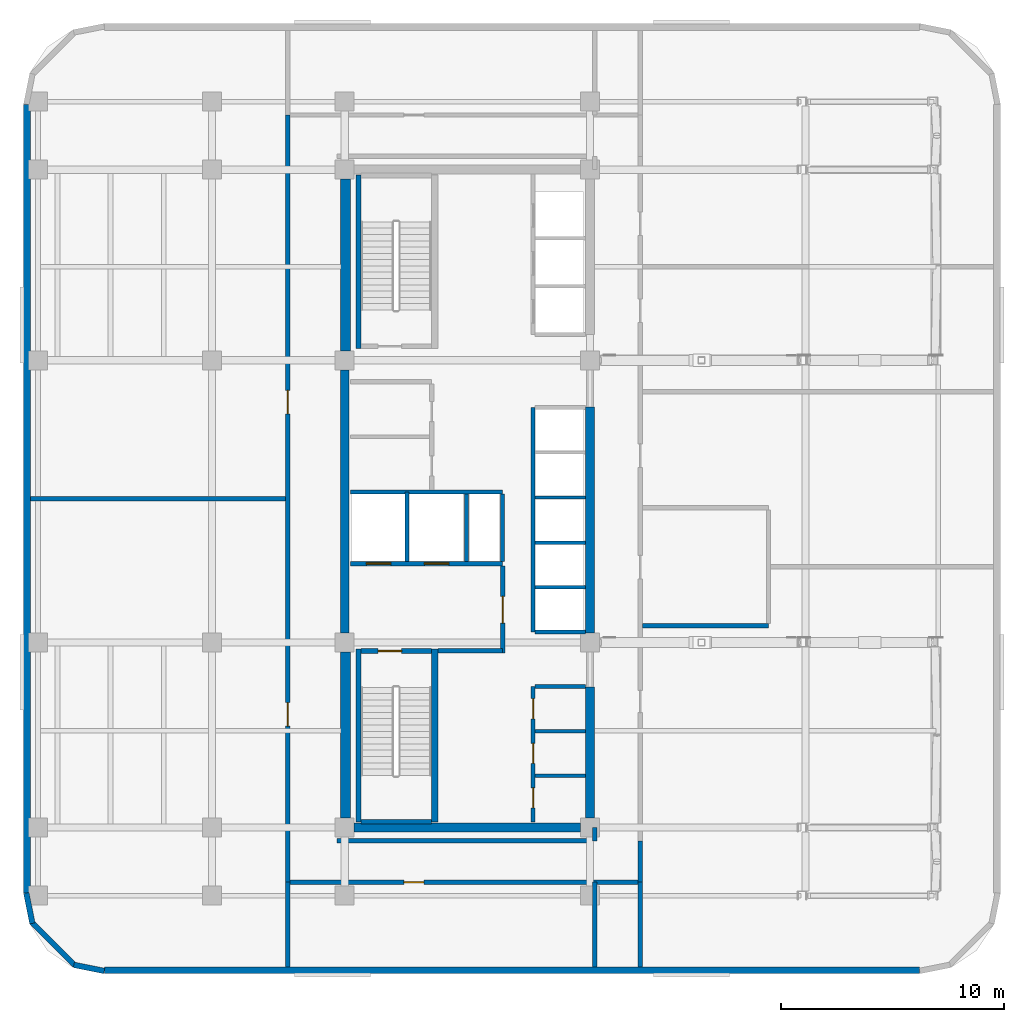
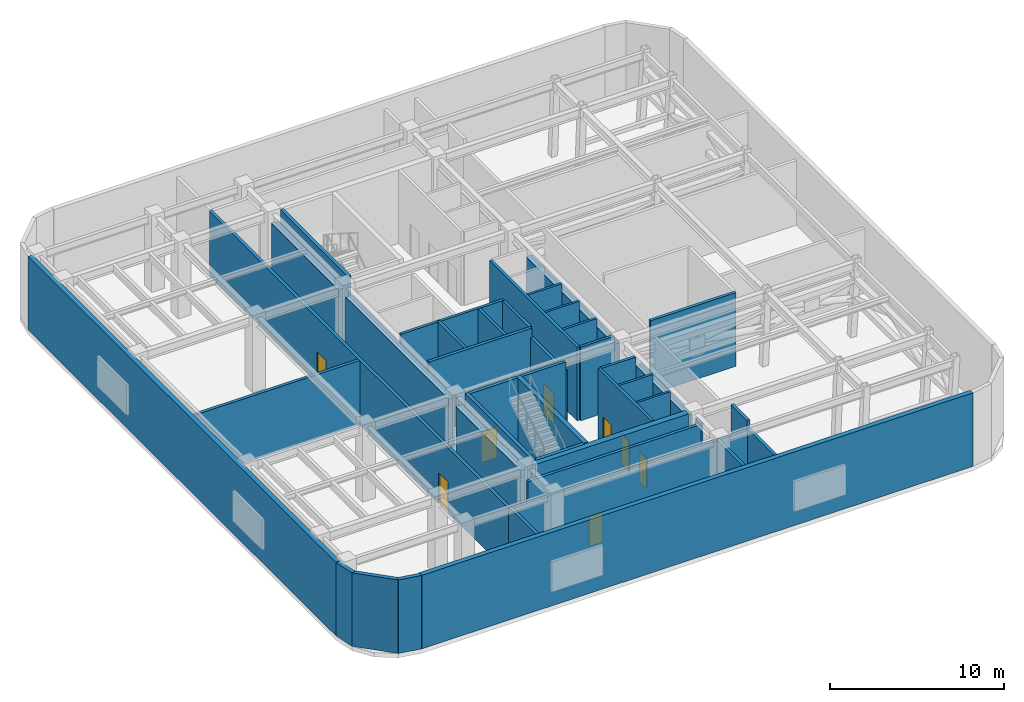
# One storey, part 6 of 12: 42 walls, 10 doors, 10 openings.
"""IFC4 building model written with IfcOpenShell, lengths in metres."""

from ifc_helpers import new_model, si_unit, direction, frame, frame_2d, origin, place, context, subcontext, project, spatial, rectangle, extrude, material, layer, layer_set, type_object, element, fill, save


model = new_model("IFC4")

# Units and contexts
model_context = context("Model", 3, precision=1e-05, world=origin(), true_north=direction((0.0, 1.0)))
body_context = subcontext(model_context, "Body", "Model", "MODEL_VIEW")
ifc_project = project(units=[si_unit("LENGTHUNIT", "METRE"), si_unit("AREAUNIT", "SQUARE_METRE"), si_unit("VOLUMEUNIT", "CUBIC_METRE"), si_unit("PLANEANGLEUNIT", "RADIAN"), si_unit("MASSUNIT", "GRAM", prefix="KILO")], contexts=[model_context])

# Site, building, storey
site_placement = place(None, origin())
site = spatial("IfcSite", under=ifc_project, at=site_placement, CompositionType="ELEMENT")
building_placement = place(site_placement, origin())
building = spatial("IfcBuilding", under=site, at=building_placement, Name="Ochreholt Gables", CompositionType="ELEMENT")
storey_placement = place(building_placement, frame((0.0, 0.0, 135.60009765625)))
storey = spatial("IfcBuildingStorey", under=building, at=storey_placement, Name="L35", CompositionType="ELEMENT", Elevation=135.60009765625)

# Walls
ifc_material_1 = material(Name="Concrete 60 MPa", Category="concrete")
ifc_layer_1 = layer(ifc_material_1, 0.39990234375, Name="Concrete 60 MPa")
ifc_layer_set_1 = layer_set([ifc_layer_1], Name="Concrete 60 MPa")
wall_type_1 = type_object("IfcWallType", Name="WALL-CSW-400", PredefinedType="SHEAR", material=ifc_layer_set_1)
wall_1_placement = place(storey_placement, frame((24.199951171875, 17.97509765625, 0.0), z_axis=(0.0, 0.0, 1.0), x_axis=(0.0, 1.0, 0.0)))
element("IfcWall", 1, at=wall_1_placement, inside=storey, type_object=wall_type_1, Name="L35 Core West Shear Wall WM", PredefinedType="SHEAR", context=body_context, shape_type="SweptSolid", body=[
    extrude(rectangle(XDim=11.7998046875, YDim=0.39990234375, at=frame_2d((5.89990234375, 0.0))), origin(), (0.0, 0.0, 1.0), 4.548828125),
])
wall_2_placement = place(storey_placement, frame((35.199951171875, 9.675048828125, 0.0), z_axis=(0.0, 0.0, 1.0), x_axis=(0.0, 1.0, 0.0)))
element("IfcWall", 2, at=wall_2_placement, inside=storey, type_object=wall_type_1, Name="L35 Core South-East Shear Wall", PredefinedType="SHEAR", context=body_context, shape_type="SweptSolid", body=[
    extrude(rectangle(XDim=5.875, YDim=0.39990234375, at=frame_2d((2.9375, 0.0))), origin(), (0.0, 0.0, 1.0), 4.548828125),
])
wall_3_placement = place(storey_placement, frame((35.199951171875, 17.97509765625, 0.0), z_axis=(0.0, 0.0, 1.0), x_axis=(0.0, 1.0, 0.0)))
element("IfcWall", 3, at=wall_3_placement, inside=storey, type_object=wall_type_1, Name="L35 Core Central-East Shear Wall", PredefinedType="SHEAR", context=body_context, shape_type="SweptSolid", body=[
    extrude(rectangle(XDim=10.125, YDim=0.39990234375, at=frame_2d((5.0625, 0.0))), origin(), (0.0, 0.0, 1.0), 4.548828125),
])
wall_4_placement = place(storey_placement, frame((24.625, 9.25, 0.0), z_axis=(0.0, 0.0, 1.0), x_axis=(1.0, 0.0, 0.0)))
element("IfcWall", 4, at=wall_4_placement, inside=storey, type_object=wall_type_1, Name="L35 Core South Shear Wall", PredefinedType="SHEAR", context=body_context, shape_type="SweptSolid", body=[
    extrude(rectangle(XDim=10.14990234375, YDim=0.39990234375, at=frame_2d((5.074951171875, 0.0))), origin(), (0.0, 0.0, 1.0), 5.159912109375),
])
ifc_layer_2 = layer(ifc_material_1, 0.449951171875, Name="Concrete 60 MPa")
ifc_layer_set_2 = layer_set([ifc_layer_2], Name="Concrete 60 MPa")
wall_type_2 = type_object("IfcWallType", Name="WALL-CSW-450", PredefinedType="SHEAR", material=ifc_layer_set_2)
wall_5_placement = place(storey_placement, frame((24.22509765625, 9.675048828125, 0.0), z_axis=(0.0, 0.0, 1.0), x_axis=(0.0, 1.0, 0.0)))
element("IfcWall", 5, at=wall_5_placement, inside=storey, type_object=wall_type_2, Name="L35 Core West Shear Wall WS", PredefinedType="SHEAR", context=body_context, shape_type="SweptSolid", body=[
    extrude(rectangle(XDim=7.449951171875, YDim=0.449951171875, at=frame_2d((3.72509765625, 0.0))), origin(), (0.0, 0.0, 1.0), 4.548828125),
])
wall_6_placement = place(storey_placement, frame((24.22509765625, 30.625, 0.0), z_axis=(0.0, 0.0, 1.0), x_axis=(0.0, 1.0, 0.0)))
element("IfcWall", 6, at=wall_6_placement, inside=storey, type_object=wall_type_2, Name="L35 Core West Shear Wall WN", PredefinedType="SHEAR", context=body_context, shape_type="SweptSolid", body=[
    extrude(rectangle(XDim=7.699951171875, YDim=0.449951171875, at=frame_2d((3.85009765625, 0.0))), origin(), (0.0, 0.0, 1.0), 4.548828125),
])
ifc_material_2 = material(Name="Precast concrete 40 MPa", Category="concrete")
ifc_layer_3 = layer(ifc_material_2, 0.25, Name="Precast concrete 40 MPa")
ifc_layer_set_3 = layer_set([ifc_layer_3], Name="Precast concrete 40 MPa")
wall_type_3 = type_object("IfcWallType", Name="WALL-EXT-CNR", PredefinedType="SOLIDWALL", material=ifc_layer_set_3)
wall_7_placement = place(storey_placement, frame((9.92431640625, 6.31640625, 0.0), z_axis=(0.0, 0.0, 1.0), x_axis=(0.195000137217, -0.980803214965, 0.0)))
element("IfcWall", 7, at=wall_7_placement, inside=storey, type_object=wall_type_3, Name="L35 Rounded Corner Wall SW-1", PredefinedType="SOLIDWALL", context=body_context, shape_type="SweptSolid", body=[
    extrude(rectangle(XDim=1.388427734375, YDim=0.25, at=frame_2d((0.6943359375, 0.0))), origin(), (0.0, 0.0, 1.0), 5.159912109375),
])
wall_8_placement = place(storey_placement, frame((10.16796875, 5.0048828125, 0.0), z_axis=(0.0, 0.0, 1.0), x_axis=(0.707151344399, -0.707062215165, 0.0)))
element("IfcWall", 8, at=wall_8_placement, inside=storey, type_object=wall_type_3, Name="L35 Rounded Corner Wall SW-2", PredefinedType="SOLIDWALL", context=body_context, shape_type="SweptSolid", body=[
    extrude(rectangle(XDim=2.7392578125, YDim=0.25, at=frame_2d((1.36962890625, 0.0))), origin(), (0.0, 0.0, 1.0), 5.159912109375),
])
wall_9_placement = place(storey_placement, frame((12.054443359375, 3.094970703125, 0.0), z_axis=(0.0, 0.0, 1.0), x_axis=(0.980809899341, -0.19496651342, 0.0)))
element("IfcWall", 9, at=wall_9_placement, inside=storey, type_object=wall_type_3, Name="L35 Rounded Corner Wall SW-3", PredefinedType="SOLIDWALL", context=body_context, shape_type="SweptSolid", body=[
    extrude(rectangle(XDim=1.388671875, YDim=0.25, at=frame_2d((0.6943359375, 0.0))), origin(), (0.0, 0.0, 1.0), 5.159912109375),
])
ifc_material_3 = material(Name="Precast concrete 50 MPa", Category="concrete")
ifc_layer_4 = layer(ifc_material_3, 0.31005859375, Name="Precast concrete 50 MPa")
ifc_layer_set_4 = layer_set([ifc_layer_4], Name="Precast concrete 50 MPa")
wall_type_4 = type_object("IfcWallType", Name="WALL-EXT-PLT", PredefinedType="SOLIDWALL", material=ifc_layer_set_4)
wall_10_placement = place(storey_placement, frame((13.419921875, 2.85498046875, 0.0), z_axis=(0.0, 0.0, 1.0), x_axis=(1.0, 0.0, 0.0)))
element("IfcWall", 10, at=wall_10_placement, inside=storey, type_object=wall_type_4, Name="L35 South Plant Facade Wall", PredefinedType="SOLIDWALL", context=body_context, shape_type="SweptSolid", body=[
    extrude(rectangle(XDim=36.56005859375, YDim=0.31005859375, at=frame_2d((18.280029296875, 0.0))), origin(), (0.0, 0.0, 1.0), 5.159912109375),
])
wall_11_placement = place(storey_placement, frame((9.955078125, 41.679931640625, 0.0), z_axis=(0.0, 0.0, 1.0), x_axis=(0.0, -1.0, 0.0)))
element("IfcWall", 11, at=wall_11_placement, inside=storey, type_object=wall_type_4, Name="L35 West Plant Facade Wall", PredefinedType="SOLIDWALL", context=body_context, shape_type="SweptSolid", body=[
    extrude(rectangle(XDim=35.35986328125, YDim=0.31005859375, at=frame_2d((17.679931640625, 0.0))), origin(), (0.0, 0.0, 1.0), 5.159912109375),
])

# Wall, openings, doors
ifc_material_4 = material(Name="Concrete 40 MPa", Category="concrete")
ifc_layer_5 = layer(ifc_material_4, 0.199951171875, Name="Concrete 40 MPa")
ifc_layer_set_5 = layer_set([ifc_layer_5], Name="Concrete 40 MPa")
wall_type_5 = type_object("IfcWallType", Name="WALL-INT-CF200", PredefinedType="STANDARD", material=ifc_layer_set_5)
wall_12_placement = place(storey_placement, frame((24.449951171875, 21.090087890625, 0.0), z_axis=(0.0, 0.0, 1.0), x_axis=(1.0, 0.0, 0.0)))
wall_12 = element("IfcWall", 12, at=wall_12_placement, inside=storey, type_object=wall_type_5, Name="L35 Interior Wall WI-FFN-L35", PredefinedType="STANDARD", context=body_context, shape_type="SweptSolid", body=[
    extrude(rectangle(XDim=6.830078125, YDim=0.199951171875, at=frame_2d((3.4150390625, 0.0))), origin(), (0.0, 0.0, 1.0), 5.159912109375),
])
opening_1_placement = place(wall_12_placement, frame((0.719970703125, 0.0, 0.0)))
opening_1 = element("IfcOpeningElement", 13, at=opening_1_placement, cuts=wall_12, Name="Opening LD-FF", PredefinedType="OPENING", context=body_context, shape_type="SweptSolid", body=[
    extrude(rectangle(XDim=1.10009765625, YDim=2.199951171875, at=frame_2d((0.550048828125, 1.10009765625))), frame((0.0, 0.10986328125, 0.0), z_axis=(0.0, -1.0, 0.0), x_axis=(1.0, 0.0, 0.0)), (0.0, 0.0, 1.0), 0.219970703125),
])
opening_2_placement = place(wall_12_placement, frame((3.320068359375, 0.0, 0.0)))
opening_2 = element("IfcOpeningElement", 14, at=opening_2_placement, cuts=wall_12, Name="Opening LD-FF", PredefinedType="OPENING", context=body_context, shape_type="SweptSolid", body=[
    extrude(rectangle(XDim=1.10009765625, YDim=2.199951171875, at=frame_2d((0.550048828125, 1.10009765625))), frame((0.0, 0.10986328125, 0.0), z_axis=(0.0, -1.0, 0.0), x_axis=(1.0, 0.0, 0.0)), (0.0, 0.0, 1.0), 0.219970703125),
])
ifc_material_5 = material(Name="Stainless Steel", Category="steel")
door_type_1 = type_object("IfcDoorType", Name="DR-LFT-FF1100", OperationType="NOTDEFINED", PredefinedType="DOOR", material=ifc_material_5)
door_1_placement = place(opening_1_placement, origin())
door_1 = element("IfcDoor", 15, at=door_1_placement, inside=storey, type_object=door_type_1, Name="L35 Door LD-FF1-L35", OperationType="SLIDING_TO_LEFT", OverallHeight=2.199951171875, OverallWidth=1.10009765625, PredefinedType="DOOR", context=body_context, shape_type="SweptSolid", body=[
    extrude(rectangle(XDim=1.10009765625, YDim=2.199951171875, at=frame_2d((0.550048828125, 1.10009765625))), frame((0.0, 0.02490234375, 0.0), z_axis=(0.0, -1.0, 0.0), x_axis=(1.0, 0.0, 0.0)), (0.0, 0.0, 1.0), 0.050048828125),
])
fill(opening_1, door_1)
door_2_placement = place(opening_2_placement, origin())
door_2 = element("IfcDoor", 16, at=door_2_placement, inside=storey, type_object=door_type_1, Name="L35 Door LD-FF2-L35", OperationType="SLIDING_TO_LEFT", OverallHeight=2.199951171875, OverallWidth=1.10009765625, PredefinedType="DOOR", context=body_context, shape_type="SweptSolid", body=[
    extrude(rectangle(XDim=1.10009765625, YDim=2.199951171875, at=frame_2d((0.550048828125, 1.10009765625))), frame((0.0, 0.02490234375, 0.0), z_axis=(0.0, -1.0, 0.0), x_axis=(1.0, 0.0, 0.0)), (0.0, 0.0, 1.0), 0.050048828125),
])
fill(opening_2, door_2)

# Wall
wall_13_placement = place(storey_placement, frame((28.3798828125, 17.169921875, 0.0), z_axis=(0.0, 0.0, 1.0), x_axis=(1.0, 0.0, 0.0)))
element("IfcWall", 17, at=wall_13_placement, inside=storey, type_object=wall_type_5, Name="L35 Interior Wall WI-FFS-L35", PredefinedType="STANDARD", context=body_context, shape_type="SweptSolid", body=[
    extrude(rectangle(XDim=2.900146484375, YDim=0.199951171875, at=frame_2d((1.4501953125, 0.0))), origin(), (0.0, 0.0, 1.0), 5.159912109375),
])

# Wall, opening, door
wall_14_placement = place(storey_placement, frame((31.280029296875, 17.070068359375, 0.0), z_axis=(0.0, 0.0, 1.0), x_axis=(0.0, 1.0, 0.0)))
wall_14 = element("IfcWall", 18, at=wall_14_placement, inside=storey, type_object=wall_type_5, Name="L35 Interior Wall WI-FFE-L35", PredefinedType="STANDARD", context=body_context, shape_type="SweptSolid", body=[
    extrude(rectangle(XDim=3.919921875, YDim=0.199951171875, at=frame_2d((1.9599609375, 0.0))), origin(), (0.0, 0.0, 1.0), 4.531005859375),
])
opening_3_placement = place(wall_14_placement, frame((1.35009765625, 0.0, 0.0)))
opening_3 = element("IfcOpeningElement", 19, at=opening_3_placement, cuts=wall_14, Name="Opening D-FFL", PredefinedType="OPENING", context=body_context, shape_type="SweptSolid", body=[
    extrude(rectangle(XDim=1.199951171875, YDim=2.14990234375, at=frame_2d((0.60009765625, 1.074951171875))), frame((0.0, 0.10986328125, 0.0), z_axis=(0.0, -1.0, 0.0), x_axis=(1.0, 0.0, 0.0)), (0.0, 0.0, 1.0), 0.219970703125),
])
ifc_material_6 = material(Name="Hollow Metal Steel", Category="steel")
door_type_2 = type_object("IfcDoorType", Name="DR-INT-FFL1200", OperationType="NOTDEFINED", PredefinedType="DOOR", material=ifc_material_6)
door_3_placement = place(opening_3_placement, origin())
door_3 = element("IfcDoor", 20, at=door_3_placement, inside=storey, type_object=door_type_2, Name="L35 Door D-FFL-L35", OperationType="SINGLE_SWING_LEFT", OverallHeight=2.14990234375, OverallWidth=1.199951171875, PredefinedType="DOOR", context=body_context, shape_type="SweptSolid", body=[
    extrude(rectangle(XDim=1.199951171875, YDim=2.14990234375, at=frame_2d((0.60009765625, 1.074951171875))), frame((0.0, 0.02490234375, 0.0), z_axis=(0.0, -1.0, 0.0), x_axis=(1.0, 0.0, 0.0)), (0.0, 0.0, 1.0), 0.050048828125),
])
fill(opening_3, door_3)

# Walls
wall_15_placement = place(storey_placement, frame((37.449951171875, 6.800048828125, 0.0), z_axis=(0.0, 0.0, 1.0), x_axis=(0.0, 1.0, 0.0)))
element("IfcWall", 21, at=wall_15_placement, inside=storey, type_object=wall_type_5, Name="L35 Interior Wall WI-PLCES0-L35", PredefinedType="STANDARD", context=body_context, shape_type="SweptSolid", body=[
    extrude(rectangle(XDim=1.849853515625, YDim=0.199951171875, at=frame_2d((0.9248046875, 0.0))), origin(), (0.0, 0.0, 1.0), 5.159912109375),
])
wall_16_placement = place(storey_placement, frame((37.449951171875, 3.010009765625, 0.0), z_axis=(0.0, 0.0, 1.0), x_axis=(0.0, 1.0, 0.0)))
element("IfcWall", 22, at=wall_16_placement, inside=storey, type_object=wall_type_5, Name="L35 Interior Wall WI-PLCES1-L35", PredefinedType="STANDARD", context=body_context, shape_type="SweptSolid", body=[
    extrude(rectangle(XDim=3.7900390625, YDim=0.199951171875, at=frame_2d((1.89501953125, 0.0))), origin(), (0.0, 0.0, 1.0), 4.60888671875),
])
wall_17_placement = place(storey_placement, frame((35.419921875, 3.010009765625, 0.0), z_axis=(0.0, 0.0, 1.0), x_axis=(0.0, 1.0, 0.0)))
element("IfcWall", 23, at=wall_17_placement, inside=storey, type_object=wall_type_5, Name="L35 Interior Wall WI-PLCSW0-L35", PredefinedType="STANDARD", context=body_context, shape_type="SweptSolid", body=[
    extrude(rectangle(XDim=3.7900390625, YDim=0.199951171875, at=frame_2d((1.89501953125, 0.0))), origin(), (0.0, 0.0, 1.0), 4.531005859375),
])
wall_18_placement = place(storey_placement, frame((35.419921875, 8.64990234375, 0.0), z_axis=(0.0, 0.0, 1.0), x_axis=(0.0, 1.0, 0.0)))
element("IfcWall", 24, at=wall_18_placement, inside=storey, type_object=wall_type_5, Name="L35 Interior Wall WI-PLCSW1-L35", PredefinedType="STANDARD", context=body_context, shape_type="SweptSolid", body=[
    extrude(rectangle(XDim=0.60009765625, YDim=0.199951171875, at=frame_2d((0.300048828125, 0.0))), origin(), (0.0, 0.0, 1.0), 4.531005859375),
])
wall_19_placement = place(storey_placement, frame((37.550048828125, 18.300048828125, 0.0), z_axis=(0.0, 0.0, 1.0), x_axis=(1.0, 0.0, 0.0)))
element("IfcWall", 25, at=wall_19_placement, inside=storey, type_object=wall_type_5, Name="L35 Interior Wall WI-PLRFS-L35", PredefinedType="STANDARD", context=body_context, shape_type="SweptSolid", body=[
    extrude(rectangle(XDim=5.64990234375, YDim=0.199951171875, at=frame_2d((2.824951171875, 0.0))), origin(), (0.0, 0.0, 1.0), 5.159912109375),
])

# Wall, openings, doors
wall_20_placement = place(storey_placement, frame((21.64990234375, 6.800048828125, 0.0), z_axis=(0.0, 0.0, 1.0), x_axis=(0.0, 1.0, 0.0)))
wall_20 = element("IfcWall", 26, at=wall_20_placement, inside=storey, type_object=wall_type_5, Name="L35 Interior Wall WI-PLCW-L35", PredefinedType="STANDARD", context=body_context, shape_type="SweptSolid", body=[
    extrude(rectangle(XDim=34.39990234375, YDim=0.199951171875, at=frame_2d((17.199951171875, 0.0))), origin(), (0.0, 0.0, 1.0), 4.531005859375),
])
opening_4_placement = place(wall_20_placement, frame((7.0, 0.0, 0.0)))
opening_4 = element("IfcOpeningElement", 27, at=opening_4_placement, cuts=wall_20, Name="Opening D-SV4", PredefinedType="OPENING", context=body_context, shape_type="SweptSolid", body=[
    extrude(rectangle(XDim=1.050048828125, YDim=2.14990234375, at=frame_2d((0.52490234375, 1.074951171875))), frame((0.0, 0.10986328125, 0.0), z_axis=(0.0, -1.0, 0.0), x_axis=(1.0, 0.0, 0.0)), (0.0, 0.0, 1.0), 0.219970703125),
])
opening_5_placement = place(wall_20_placement, frame((21.0, 0.0, 0.0)))
opening_5 = element("IfcOpeningElement", 28, at=opening_5_placement, cuts=wall_20, Name="Opening D-SV4", PredefinedType="OPENING", context=body_context, shape_type="SweptSolid", body=[
    extrude(rectangle(XDim=1.050048828125, YDim=2.14990234375, at=frame_2d((0.52490234375, 1.074951171875))), frame((0.0, 0.10986328125, 0.0), z_axis=(0.0, -1.0, 0.0), x_axis=(1.0, 0.0, 0.0)), (0.0, 0.0, 1.0), 0.219970703125),
])
door_type_3 = type_object("IfcDoorType", Name="DR-INT-SRV1050", OperationType="NOTDEFINED", PredefinedType="DOOR", material=ifc_material_6)
door_4_placement = place(opening_4_placement, origin())
door_4 = element("IfcDoor", 29, at=door_4_placement, inside=storey, type_object=door_type_3, Name="L35 Door D-PLW1-L35", OperationType="SINGLE_SWING_LEFT", OverallHeight=2.14990234375, OverallWidth=1.050048828125, PredefinedType="DOOR", context=body_context, shape_type="SweptSolid", body=[
    extrude(rectangle(XDim=1.050048828125, YDim=2.14990234375, at=frame_2d((0.52490234375, 1.074951171875))), frame((0.0, 0.02490234375, 0.0), z_axis=(0.0, -1.0, 0.0), x_axis=(1.0, 0.0, 0.0)), (0.0, 0.0, 1.0), 0.050048828125),
])
fill(opening_4, door_4)
door_5_placement = place(opening_5_placement, origin())
door_5 = element("IfcDoor", 30, at=door_5_placement, inside=storey, type_object=door_type_3, Name="L35 Door D-PLW2-L35", OperationType="SINGLE_SWING_RIGHT", OverallHeight=2.14990234375, OverallWidth=1.050048828125, PredefinedType="DOOR", context=body_context, shape_type="SweptSolid", body=[
    extrude(rectangle(XDim=1.050048828125, YDim=2.14990234375, at=frame_2d((0.52490234375, 1.074951171875))), frame((0.0, 0.02490234375, 0.0), z_axis=(0.0, -1.0, 0.0), x_axis=(1.0, 0.0, 0.0)), (0.0, 0.0, 1.0), 0.050048828125),
])
fill(opening_5, door_5)

# Wall, opening, door
wall_21_placement = place(storey_placement, frame((21.75, 6.800048828125, 0.0), z_axis=(0.0, 0.0, 1.0), x_axis=(1.0, 0.0, 0.0)))
wall_21 = element("IfcWall", 31, at=wall_21_placement, inside=storey, type_object=wall_type_5, Name="L35 Interior Wall WI-PLCS-L35", PredefinedType="STANDARD", context=body_context, shape_type="SweptSolid", body=[
    extrude(rectangle(XDim=15.60009765625, YDim=0.199951171875, at=frame_2d((7.800048828125, 0.0))), origin(), (0.0, 0.0, 1.0), 4.531005859375),
])
opening_6_placement = place(wall_21_placement, frame((5.10009765625, 0.0, 0.0)))
opening_6 = element("IfcOpeningElement", 32, at=opening_6_placement, cuts=wall_21, Name="Opening D-SV1", PredefinedType="OPENING", context=body_context, shape_type="SweptSolid", body=[
    extrude(rectangle(XDim=0.89990234375, YDim=2.10009765625, at=frame_2d((0.449951171875, 1.050048828125))), frame((0.0, 0.10986328125, 0.0), z_axis=(0.0, -1.0, 0.0), x_axis=(1.0, 0.0, 0.0)), (0.0, 0.0, 1.0), 0.219970703125),
])
door_type_4 = type_object("IfcDoorType", Name="DR-INT-SRV900", OperationType="NOTDEFINED", PredefinedType="DOOR", material=ifc_material_6)
door_6_placement = place(opening_6_placement, origin())
door_6 = element("IfcDoor", 33, at=door_6_placement, inside=storey, type_object=door_type_4, Name="L35 Door D-PLS0-L35", OperationType="SINGLE_SWING_LEFT", OverallHeight=2.10009765625, OverallWidth=0.89990234375, PredefinedType="DOOR", context=body_context, shape_type="SweptSolid", body=[
    extrude(rectangle(XDim=0.89990234375, YDim=2.10009765625, at=frame_2d((0.449951171875, 1.050048828125))), frame((0.0, 0.02490234375, 0.0), z_axis=(0.0, -1.0, 0.0), x_axis=(1.0, 0.0, 0.0)), (0.0, 0.0, 1.0), 0.050048828125),
])
fill(opening_6, door_6)

# Walls
wall_22_placement = place(storey_placement, frame((23.85009765625, 8.64990234375, 0.0), z_axis=(0.0, 0.0, 1.0), x_axis=(1.0, 0.0, 0.0)))
element("IfcWall", 34, at=wall_22_placement, inside=storey, type_object=wall_type_5, Name="L35 Interior Wall WI-PLCS2-L35", PredefinedType="STANDARD", context=body_context, shape_type="SweptSolid", body=[
    extrude(rectangle(XDim=11.469970703125, YDim=0.199951171875, at=frame_2d((5.73486328125, 0.0))), origin(), (0.0, 0.0, 1.0), 4.531005859375),
])
wall_23_placement = place(storey_placement, frame((21.64990234375, 3.010009765625, 0.0), z_axis=(0.0, 0.0, 1.0), x_axis=(0.0, 1.0, 0.0)))
element("IfcWall", 35, at=wall_23_placement, inside=storey, type_object=wall_type_5, Name="L35 Interior Wall WI-PLCWS-L35", PredefinedType="STANDARD", context=body_context, shape_type="SweptSolid", body=[
    extrude(rectangle(XDim=3.7900390625, YDim=0.199951171875, at=frame_2d((1.89501953125, 0.0))), origin(), (0.0, 0.0, 1.0), 4.60888671875),
])
wall_24_placement = place(storey_placement, frame((10.110107421875, 24.0, 0.0), z_axis=(0.0, 0.0, 1.0), x_axis=(1.0, 0.0, 0.0)))
element("IfcWall", 36, at=wall_24_placement, inside=storey, type_object=wall_type_5, Name="L35 Interior Wall WI-PLWM-L35", PredefinedType="STANDARD", context=body_context, shape_type="SweptSolid", body=[
    extrude(rectangle(XDim=11.43994140625, YDim=0.199951171875, at=frame_2d((5.719970703125, 0.0))), origin(), (0.0, 0.0, 1.0), 4.531005859375),
])
ifc_material_7 = material(Name="Gypsum Shaftliner and Steel Stud", Category="steel")
ifc_layer_6 = layer(ifc_material_7, 0.14990234375, Name="Gypsum Shaftliner and Steel Stud")
ifc_layer_set_6 = layer_set([ifc_layer_6], Name="Gypsum Shaftliner and Steel Stud")
wall_type_6 = type_object("IfcWallType", Name="WALL-INT-SH150", PredefinedType="STANDARD", material=ifc_layer_set_6)
for number, where, z_axis, x_axis, name in (
    (37, (32.739990234375, 11.570068359375, 0.0), (0.0, 0.0, 1.0), (1.0, 0.0, 0.0), "L35 Interior Wall WI-LFL-D1-L35"),
    (38, (32.739990234375, 13.570068359375, 0.0), (0.0, 0.0, 1.0), (1.0, 0.0, 0.0), "L35 Interior Wall WI-LFL-D2-L35"),
    (39, (32.739990234375, 20.02001953125, 0.0), (0.0, 0.0, 1.0), (1.0, 0.0, 0.0), "L35 Interior Wall WI-LFHE-DH1-L35"),
    (40, (32.739990234375, 22.02001953125, 0.0), (0.0, 0.0, 1.0), (1.0, 0.0, 0.0), "L35 Interior Wall WI-LFHE-DH2-L35"),
    (41, (32.739990234375, 24.050048828125, 0.0), (0.0, 0.0, 1.0), (1.0, 0.0, 0.0), "L35 Interior Wall WI-LFHE-DHE-L35"),
):
    element("IfcWall", number, at=place(storey_placement, frame(where, z_axis=z_axis, x_axis=x_axis)), inside=storey, type_object=wall_type_6, Name=name, PredefinedType="STANDARD", context=body_context, shape_type="SweptSolid", body=[
        extrude(rectangle(XDim=2.260009765625, YDim=0.14990234375, at=frame_2d((1.1298828125, 0.0))), origin(), (0.0, 0.0, 1.0), 5.159912109375),
    ])
ifc_layer_7 = layer(ifc_material_7, 0.179931640625, Name="Gypsum Shaftliner and Steel Stud")
ifc_layer_set_7 = layer_set([ifc_layer_7], Name="Gypsum Shaftliner and Steel Stud")
wall_type_7 = type_object("IfcWallType", Name="WALL-INT-SH180", PredefinedType="STANDARD", material=ifc_layer_set_7)
wall_25_placement = place(storey_placement, frame((27.0, 21.18994140625, 0.0), z_axis=(0.0, 0.0, 1.0), x_axis=(0.0, 1.0, 0.0)))
element("IfcWall", 42, at=wall_25_placement, inside=storey, type_object=wall_type_7, Name="L35 Interior Wall WI-FFDIV-L35", PredefinedType="STANDARD", context=body_context, shape_type="SweptSolid", body=[
    extrude(rectangle(XDim=3.110107421875, YDim=0.179931640625, at=frame_2d((1.55517578125, 0.0))), origin(), (0.0, 0.0, 1.0), 5.159912109375),
])
wall_26_placement = place(storey_placement, frame((24.449951171875, 24.300048828125, 0.0), z_axis=(0.0, 0.0, 1.0), x_axis=(1.0, 0.0, 0.0)))
element("IfcWall", 43, at=wall_26_placement, inside=storey, type_object=wall_type_7, Name="L35 Interior Wall WI-FFBK-L35", PredefinedType="STANDARD", context=body_context, shape_type="SweptSolid", body=[
    extrude(rectangle(XDim=6.830078125, YDim=0.179931640625, at=frame_2d((3.4150390625, 0.0))), origin(), (0.0, 0.0, 1.0), 5.159912109375),
])
for number, where, z_axis, x_axis, name in (
    (44, (29.64990234375, 21.18994140625, 0.0), (0.0, 0.0, 1.0), (0.0, 1.0, 0.0), "L35 Interior Wall WI-FFSH-L35"),
    (45, (31.280029296875, 21.18994140625, 0.0), (0.0, 0.0, 1.0), (0.0, 1.0, 0.0), "L35 Interior Wall WI-RSE-L35"),
):
    element("IfcWall", number, at=place(storey_placement, frame(where, z_axis=z_axis, x_axis=x_axis)), inside=storey, type_object=wall_type_7, Name=name, PredefinedType="STANDARD", context=body_context, shape_type="SweptSolid", body=[
        extrude(rectangle(XDim=3.02001953125, YDim=0.179931640625, at=frame_2d((1.510009765625, 0.0))), origin(), (0.0, 0.0, 1.0), 5.159912109375),
    ])

# Wall, openings, doors
wall_27_placement = place(storey_placement, frame((32.64990234375, 9.5, 0.0), z_axis=(0.0, 0.0, 1.0), x_axis=(0.0, 1.0, 0.0)))
wall_27 = element("IfcWall", 46, at=wall_27_placement, inside=storey, type_object=wall_type_7, Name="L35 Interior Wall WI-LFL-FR-L35", PredefinedType="STANDARD", context=body_context, shape_type="SweptSolid", body=[
    extrude(rectangle(XDim=6.080078125, YDim=0.179931640625, at=frame_2d((3.0400390625, 0.0))), origin(), (0.0, 0.0, 1.0), 5.159912109375),
])
opening_7_placement = place(wall_27_placement, frame((0.6298828125, 0.0, 0.0)))
opening_7 = element("IfcOpeningElement", 47, at=opening_7_placement, cuts=wall_27, Name="Opening D-SV1", PredefinedType="OPENING", context=body_context, shape_type="SweptSolid", body=[
    extrude(rectangle(XDim=0.89990234375, YDim=2.10009765625, at=frame_2d((0.449951171875, 1.050048828125))), frame((0.0, 0.099853515625, 0.0), z_axis=(0.0, -1.0, 0.0), x_axis=(1.0, 0.0, 0.0)), (0.0, 0.0, 1.0), 0.199951171875),
])
opening_8_placement = place(wall_27_placement, frame((2.6298828125, 0.0, 0.0)))
opening_8 = element("IfcOpeningElement", 48, at=opening_8_placement, cuts=wall_27, Name="Opening D-SV1", PredefinedType="OPENING", context=body_context, shape_type="SweptSolid", body=[
    extrude(rectangle(XDim=0.89990234375, YDim=2.10009765625, at=frame_2d((0.449951171875, 1.050048828125))), frame((0.0, 0.099853515625, 0.0), z_axis=(0.0, -1.0, 0.0), x_axis=(1.0, 0.0, 0.0)), (0.0, 0.0, 1.0), 0.199951171875),
])
opening_9_placement = place(wall_27_placement, frame((4.6298828125, 0.0, 0.0)))
opening_9 = element("IfcOpeningElement", 49, at=opening_9_placement, cuts=wall_27, Name="Opening D-SV1", PredefinedType="OPENING", context=body_context, shape_type="SweptSolid", body=[
    extrude(rectangle(XDim=0.89990234375, YDim=2.10009765625, at=frame_2d((0.449951171875, 1.050048828125))), frame((0.0, 0.099853515625, 0.0), z_axis=(0.0, -1.0, 0.0), x_axis=(1.0, 0.0, 0.0)), (0.0, 0.0, 1.0), 0.199951171875),
])
door_7_placement = place(opening_7_placement, origin())
door_7 = element("IfcDoor", 50, at=door_7_placement, inside=storey, type_object=door_type_4, Name="L35 Door D-LCST1-L35", OperationType="SINGLE_SWING_LEFT", OverallHeight=2.10009765625, OverallWidth=0.89990234375, PredefinedType="DOOR", context=body_context, shape_type="SweptSolid", body=[
    extrude(rectangle(XDim=0.89990234375, YDim=2.10009765625, at=frame_2d((0.449951171875, 1.050048828125))), frame((0.0, 0.02490234375, 0.0), z_axis=(0.0, -1.0, 0.0), x_axis=(1.0, 0.0, 0.0)), (0.0, 0.0, 1.0), 0.050048828125),
])
fill(opening_7, door_7)
door_8_placement = place(opening_8_placement, origin())
door_8 = element("IfcDoor", 51, at=door_8_placement, inside=storey, type_object=door_type_4, Name="L35 Door D-LCST2-L35", OperationType="SINGLE_SWING_LEFT", OverallHeight=2.10009765625, OverallWidth=0.89990234375, PredefinedType="DOOR", context=body_context, shape_type="SweptSolid", body=[
    extrude(rectangle(XDim=0.89990234375, YDim=2.10009765625, at=frame_2d((0.449951171875, 1.050048828125))), frame((0.0, 0.02490234375, 0.0), z_axis=(0.0, -1.0, 0.0), x_axis=(1.0, 0.0, 0.0)), (0.0, 0.0, 1.0), 0.050048828125),
])
fill(opening_8, door_8)
door_9_placement = place(opening_9_placement, origin())
door_9 = element("IfcDoor", 52, at=door_9_placement, inside=storey, type_object=door_type_4, Name="L35 Door D-LCST3-L35", OperationType="SINGLE_SWING_LEFT", OverallHeight=2.10009765625, OverallWidth=0.89990234375, PredefinedType="DOOR", context=body_context, shape_type="SweptSolid", body=[
    extrude(rectangle(XDim=0.89990234375, YDim=2.10009765625, at=frame_2d((0.449951171875, 1.050048828125))), frame((0.0, 0.02490234375, 0.0), z_axis=(0.0, -1.0, 0.0), x_axis=(1.0, 0.0, 0.0)), (0.0, 0.0, 1.0), 0.050048828125),
])
fill(opening_9, door_9)

# Walls
wall_28_placement = place(storey_placement, frame((32.739990234375, 15.580078125, 0.0), z_axis=(0.0, 0.0, 1.0), x_axis=(1.0, 0.0, 0.0)))
element("IfcWall", 53, at=wall_28_placement, inside=storey, type_object=wall_type_7, Name="L35 Interior Wall WI-LFL-N-L35", PredefinedType="STANDARD", context=body_context, shape_type="SweptSolid", body=[
    extrude(rectangle(XDim=2.260009765625, YDim=0.179931640625, at=frame_2d((1.1298828125, 0.0))), origin(), (0.0, 0.0, 1.0), 5.159912109375),
])
wall_29_placement = place(storey_placement, frame((32.64990234375, 18.02001953125, 0.0), z_axis=(0.0, 0.0, 1.0), x_axis=(0.0, 1.0, 0.0)))
element("IfcWall", 54, at=wall_29_placement, inside=storey, type_object=wall_type_7, Name="L35 Interior Wall WI-LFHE-FR-L35", PredefinedType="STANDARD", context=body_context, shape_type="SweptSolid", body=[
    extrude(rectangle(XDim=10.06005859375, YDim=0.179931640625, at=frame_2d((5.030029296875, 0.0))), origin(), (0.0, 0.0, 1.0), 5.159912109375),
])
wall_30_placement = place(storey_placement, frame((32.739990234375, 18.02001953125, 0.0), z_axis=(0.0, 0.0, 1.0), x_axis=(1.0, 0.0, 0.0)))
element("IfcWall", 55, at=wall_30_placement, inside=storey, type_object=wall_type_7, Name="L35 Interior Wall WI-LFHE-S-L35", PredefinedType="STANDARD", context=body_context, shape_type="SweptSolid", body=[
    extrude(rectangle(XDim=2.260009765625, YDim=0.179931640625, at=frame_2d((1.1298828125, 0.0))), origin(), (0.0, 0.0, 1.0), 5.159912109375),
])
ifc_layer_8 = layer(ifc_material_1, 0.300048828125, Name="Concrete 60 MPa")
ifc_layer_set_8 = layer_set([ifc_layer_8], Name="Concrete 60 MPa")
wall_type_8 = type_object("IfcWallType", Name="WALL-SPN-300", PredefinedType="SHEAR", material=ifc_layer_set_8)
wall_31_placement = place(storey_placement, frame((28.22998046875, 9.5, 0.0), z_axis=(0.0, 0.0, 1.0), x_axis=(0.0, 1.0, 0.0)))
element("IfcWall", 56, at=wall_31_placement, inside=storey, type_object=wall_type_8, Name="L35 Core South Spine Shear Wall", PredefinedType="SHEAR", context=body_context, shape_type="SweptSolid", body=[
    extrude(rectangle(XDim=7.760009765625, YDim=0.300048828125, at=frame_2d((3.8798828125, 0.0))), origin(), (0.0, 0.0, 1.0), 5.159912109375),
])
ifc_material_8 = material(Name="Concrete 50 MPa", Category="concrete")
ifc_layer_9 = layer(ifc_material_8, 0.219970703125, Name="Concrete 50 MPa")
ifc_layer_set_9 = layer_set([ifc_layer_9], Name="Concrete 50 MPa")
wall_type_9 = type_object("IfcWallType", Name="WALL-STW-220", PredefinedType="SHEAR", material=ifc_layer_set_9)
wall_32_placement = place(storey_placement, frame((24.81005859375, 9.5, 0.0), z_axis=(0.0, 0.0, 1.0), x_axis=(0.0, 1.0, 0.0)))
element("IfcWall", 57, at=wall_32_placement, inside=storey, type_object=wall_type_9, Name="L35 Exit Stair 1 West Wall", PredefinedType="SHEAR", context=body_context, shape_type="SweptSolid", body=[
    extrude(rectangle(XDim=7.760009765625, YDim=0.219970703125, at=frame_2d((3.8798828125, 0.0))), origin(), (0.0, 0.0, 1.0), 5.159912109375),
])
wall_33_placement = place(storey_placement, frame((24.919921875, 9.510009765625, 0.0), z_axis=(0.0, 0.0, 1.0), x_axis=(1.0, 0.0, 0.0)))
element("IfcWall", 58, at=wall_33_placement, inside=storey, type_object=wall_type_9, Name="L35 Exit Stair 1 South Wall", PredefinedType="SHEAR", context=body_context, shape_type="SweptSolid", body=[
    extrude(rectangle(XDim=3.16015625, YDim=0.219970703125, at=frame_2d((1.580078125, 0.0))), origin(), (0.0, 0.0, 1.0), 5.159912109375),
])

# Wall, opening, door
wall_34_placement = place(storey_placement, frame((24.919921875, 17.169921875, 0.0), z_axis=(0.0, 0.0, 1.0), x_axis=(1.0, 0.0, 0.0)))
wall_34 = element("IfcWall", 59, at=wall_34_placement, inside=storey, type_object=wall_type_9, Name="L35 Exit Stair 1 North Wall", PredefinedType="SHEAR", context=body_context, shape_type="SweptSolid", body=[
    extrude(rectangle(XDim=3.16015625, YDim=0.219970703125, at=frame_2d((1.580078125, 0.0))), origin(), (0.0, 0.0, 1.0), 5.159912109375),
])
opening_10_placement = place(wall_34_placement, frame((0.780029296875, 0.0, 0.0)))
opening_10 = element("IfcOpeningElement", 60, at=opening_10_placement, cuts=wall_34, Name="Opening D-STC", PredefinedType="OPENING", context=body_context, shape_type="SweptSolid", body=[
    extrude(rectangle(XDim=1.050048828125, YDim=2.14990234375, at=frame_2d((0.52490234375, 1.074951171875))), frame((0.0, 0.119873046875, 0.0), z_axis=(0.0, -1.0, 0.0), x_axis=(1.0, 0.0, 0.0)), (0.0, 0.0, 1.0), 0.239990234375),
])
door_type_5 = type_object("IfcDoorType", Name="DR-INT-ST1050", OperationType="NOTDEFINED", PredefinedType="DOOR", material=ifc_material_6)
door_10_placement = place(opening_10_placement, frame((1.050048828125, 0.0, 0.0), z_axis=(0.0, 0.0, 1.0), x_axis=(-1.0, 0.0, 0.0)))
door_10 = element("IfcDoor", 61, at=door_10_placement, inside=storey, type_object=door_type_5, Name="L35 Door D-ST1-L35", OperationType="SINGLE_SWING_LEFT", OverallHeight=2.14990234375, OverallWidth=1.050048828125, PredefinedType="DOOR", context=body_context, shape_type="SweptSolid", body=[
    extrude(rectangle(XDim=1.050048828125, YDim=2.14990234375, at=frame_2d((0.52490234375, 1.074951171875))), frame((0.0, 0.02490234375, 0.0), z_axis=(0.0, -1.0, 0.0), x_axis=(1.0, 0.0, 0.0)), (0.0, 0.0, 1.0), 0.050048828125),
])
fill(opening_10, door_10)

# Wall
wall_35_placement = place(storey_placement, frame((24.81005859375, 30.739990234375, 0.0), z_axis=(0.0, 0.0, 1.0), x_axis=(0.0, 1.0, 0.0)))
element("IfcWall", 62, at=wall_35_placement, inside=storey, type_object=wall_type_9, Name="L35 Exit Stair 2 West Wall", PredefinedType="SHEAR", context=body_context, shape_type="SweptSolid", body=[
    extrude(rectangle(XDim=7.760009765625, YDim=0.219970703125, at=frame_2d((3.8798828125, 0.0))), origin(), (0.0, 0.0, 1.0), 5.159912109375),
])

save(model, "model.ifc")
